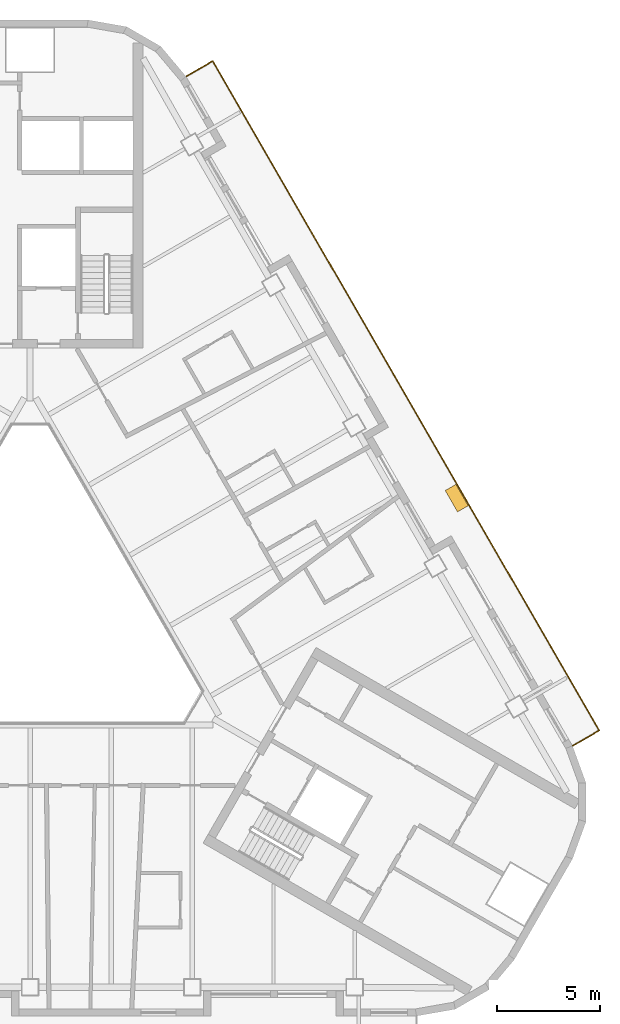
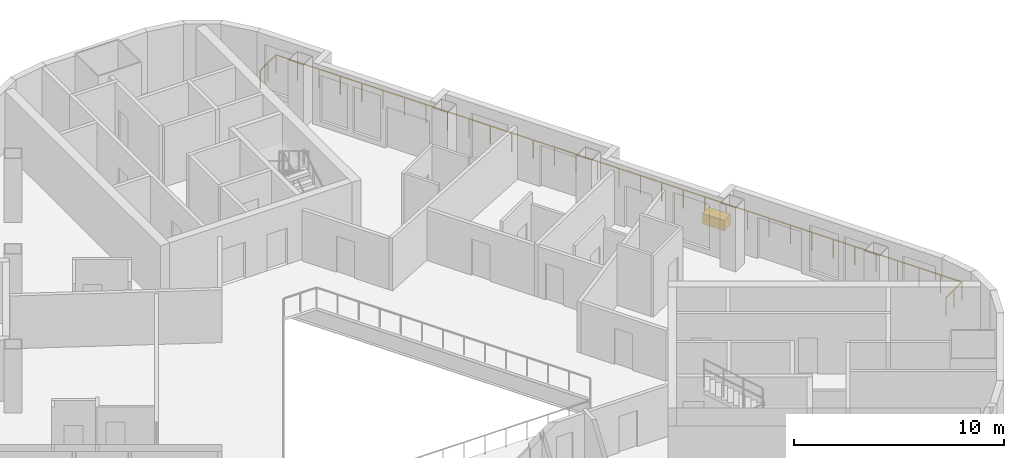
# One storey, part 13 of 14: 1 covering, 1 railing.
"""IFC4 building model written with IfcOpenShell, lengths in metres."""

from ifc_helpers import new_model, si_unit, direction, frame, origin, origin_2d, place, context, subcontext, project, spatial, rectangle, extrude, material, type_object, element, save


model = new_model("IFC4")

# Units and contexts
model_context = context("Model", 3, precision=1e-05, world=origin(), true_north=direction((0.0, 1.0)))
body_context = subcontext(model_context, "Body", "Model", "MODEL_VIEW")
ifc_project = project(units=[si_unit("LENGTHUNIT", "METRE"), si_unit("AREAUNIT", "SQUARE_METRE"), si_unit("VOLUMEUNIT", "CUBIC_METRE"), si_unit("PLANEANGLEUNIT", "RADIAN"), si_unit("MASSUNIT", "GRAM", prefix="KILO")], contexts=[model_context])

# Site, building, storey
site_placement = place(None, origin())
site = spatial("IfcSite", under=ifc_project, at=site_placement, CompositionType="ELEMENT")
building_placement = place(site_placement, origin())
building = spatial("IfcBuilding", under=site, at=building_placement, Name="Apuvela Tower Hotel", CompositionType="ELEMENT")
storey_placement = place(building_placement, frame((0.0, 0.0, 172.5)))
storey = spatial("IfcBuildingStorey", under=building, at=storey_placement, Name="L41", CompositionType="ELEMENT", Elevation=172.5)

# Railing
ifc_material_1 = material(Name="Stainless steel 316 rail with laminated glass infill", Category="steel")
railing_type = type_object("IfcRailingType", Name="ENV-GUARD-1100", PredefinedType="GUARDRAIL", material=ifc_material_1)
railing_placement = place(storey_placement, frame((26.407958984375, -6.47998046875, 0.0)))
element("IfcRailing", 1, at=railing_placement, inside=storey, type_object=railing_type, Name="Balcony guard NE L41", PredefinedType="GUARDRAIL", context=body_context, shape_type="SweptSolid", body=[
    extrude(rectangle(XDim=0.050048828125, YDim=0.050048828125, at=origin_2d()), frame((0.0, 0.0, 1.0751953125), z_axis=(0.866031096941, 0.499990139034, 0.0), x_axis=(-0.499990139034, 0.866031096941, 0.0)), (0.0, 0.0, 1.0), 1.5),
    extrude(rectangle(XDim=0.050048828125, YDim=0.050048828125, at=origin_2d()), frame((1.299072265625, 0.75, 1.0751953125), z_axis=(-0.500000437506, 0.86602515119, 0.0), x_axis=(-0.86602515119, -0.500000437506, 0.0)), (0.0, 0.0, 1.0), 37.6318359375),
    extrude(rectangle(XDim=0.050048828125, YDim=0.050048828125, at=origin_2d()), frame((-17.516845703125, 33.340087890625, 1.0751953125), z_axis=(-0.86599040064, -0.500060622324, 0.0), x_axis=(0.500060622324, -0.86599040064, 0.0)), (0.0, 0.0, 1.0), 1.499755859375),
    extrude(rectangle(XDim=0.0400390625, YDim=0.0400390625, at=origin_2d()), origin(), (0.0, 0.0, 1.0), 1.050048828125),
    extrude(rectangle(XDim=0.0400390625, YDim=0.0400390625, at=origin_2d()), frame((0.6494140625, 0.375, 0.0)), (0.0, 0.0, 1.0), 1.050048828125),
    extrude(rectangle(XDim=0.0400390625, YDim=0.0400390625, at=origin_2d()), frame((1.299072265625, 0.75, 0.0)), (0.0, 0.0, 1.0), 1.050048828125),
    extrude(rectangle(XDim=0.0400390625, YDim=0.0400390625, at=origin_2d()), frame((0.711181640625, 1.7685546875, 0.0)), (0.0, 0.0, 1.0), 1.050048828125),
    extrude(rectangle(XDim=0.0400390625, YDim=0.0400390625, at=origin_2d()), frame((0.123046875, 2.786865234375, 0.0)), (0.0, 0.0, 1.0), 1.050048828125),
    extrude(rectangle(XDim=0.0400390625, YDim=0.0400390625, at=origin_2d()), frame((-0.46484375, 3.805419921875, 0.0)), (0.0, 0.0, 1.0), 1.050048828125),
    extrude(rectangle(XDim=0.0400390625, YDim=0.0400390625, at=origin_2d()), frame((-1.052978515625, 4.82373046875, 0.0)), (0.0, 0.0, 1.0), 1.050048828125),
    extrude(rectangle(XDim=0.0400390625, YDim=0.0400390625, at=origin_2d()), frame((-1.640869140625, 5.84228515625, 0.0)), (0.0, 0.0, 1.0), 1.050048828125),
    extrude(rectangle(XDim=0.0400390625, YDim=0.0400390625, at=origin_2d()), frame((-2.22900390625, 6.860595703125, 0.0)), (0.0, 0.0, 1.0), 1.050048828125),
    extrude(rectangle(XDim=0.0400390625, YDim=0.0400390625, at=origin_2d()), frame((-2.81689453125, 7.879150390625, 0.0)), (0.0, 0.0, 1.0), 1.050048828125),
    extrude(rectangle(XDim=0.0400390625, YDim=0.0400390625, at=origin_2d()), frame((-3.40478515625, 8.8974609375, 0.0)), (0.0, 0.0, 1.0), 1.050048828125),
    extrude(rectangle(XDim=0.0400390625, YDim=0.0400390625, at=origin_2d()), frame((-3.992919921875, 9.916015625, 0.0)), (0.0, 0.0, 1.0), 1.050048828125),
    extrude(rectangle(XDim=0.0400390625, YDim=0.0400390625, at=origin_2d()), frame((-4.580810546875, 10.934326171875, 0.0)), (0.0, 0.0, 1.0), 1.050048828125),
    extrude(rectangle(XDim=0.0400390625, YDim=0.0400390625, at=origin_2d()), frame((-5.1689453125, 11.952880859375, 0.0)), (0.0, 0.0, 1.0), 1.050048828125),
    extrude(rectangle(XDim=0.0400390625, YDim=0.0400390625, at=origin_2d()), frame((-5.7568359375, 12.97119140625, 0.0)), (0.0, 0.0, 1.0), 1.050048828125),
    extrude(rectangle(XDim=0.0400390625, YDim=0.0400390625, at=origin_2d()), frame((-6.344970703125, 13.98974609375, 0.0)), (0.0, 0.0, 1.0), 1.050048828125),
    extrude(rectangle(XDim=0.0400390625, YDim=0.0400390625, at=origin_2d()), frame((-6.932861328125, 15.008056640625, 0.0)), (0.0, 0.0, 1.0), 1.050048828125),
    extrude(rectangle(XDim=0.0400390625, YDim=0.0400390625, at=origin_2d()), frame((-7.52099609375, 16.026611328125, 0.0)), (0.0, 0.0, 1.0), 1.050048828125),
    extrude(rectangle(XDim=0.0400390625, YDim=0.0400390625, at=origin_2d()), frame((-8.10888671875, 17.044921875, 0.0)), (0.0, 0.0, 1.0), 1.050048828125),
    extrude(rectangle(XDim=0.0400390625, YDim=0.0400390625, at=origin_2d()), frame((-8.69677734375, 18.0634765625, 0.0)), (0.0, 0.0, 1.0), 1.050048828125),
    extrude(rectangle(XDim=0.0400390625, YDim=0.0400390625, at=origin_2d()), frame((-9.284912109375, 19.08203125, 0.0)), (0.0, 0.0, 1.0), 1.050048828125),
    extrude(rectangle(XDim=0.0400390625, YDim=0.0400390625, at=origin_2d()), frame((-9.872802734375, 20.100341796875, 0.0)), (0.0, 0.0, 1.0), 1.050048828125),
    extrude(rectangle(XDim=0.0400390625, YDim=0.0400390625, at=origin_2d()), frame((-10.4609375, 21.118896484375, 0.0)), (0.0, 0.0, 1.0), 1.050048828125),
    extrude(rectangle(XDim=0.0400390625, YDim=0.0400390625, at=origin_2d()), frame((-11.048828125, 22.13720703125, 0.0)), (0.0, 0.0, 1.0), 1.050048828125),
    extrude(rectangle(XDim=0.0400390625, YDim=0.0400390625, at=origin_2d()), frame((-11.636962890625, 23.15576171875, 0.0)), (0.0, 0.0, 1.0), 1.050048828125),
    extrude(rectangle(XDim=0.0400390625, YDim=0.0400390625, at=origin_2d()), frame((-12.224853515625, 24.174072265625, 0.0)), (0.0, 0.0, 1.0), 1.050048828125),
    extrude(rectangle(XDim=0.0400390625, YDim=0.0400390625, at=origin_2d()), frame((-12.81298828125, 25.192626953125, 0.0)), (0.0, 0.0, 1.0), 1.050048828125),
    extrude(rectangle(XDim=0.0400390625, YDim=0.0400390625, at=origin_2d()), frame((-13.40087890625, 26.2109375, 0.0)), (0.0, 0.0, 1.0), 1.050048828125),
    extrude(rectangle(XDim=0.0400390625, YDim=0.0400390625, at=origin_2d()), frame((-13.98876953125, 27.2294921875, 0.0)), (0.0, 0.0, 1.0), 1.050048828125),
    extrude(rectangle(XDim=0.0400390625, YDim=0.0400390625, at=origin_2d()), frame((-14.576904296875, 28.247802734375, 0.0)), (0.0, 0.0, 1.0), 1.050048828125),
    extrude(rectangle(XDim=0.0400390625, YDim=0.0400390625, at=origin_2d()), frame((-15.164794921875, 29.266357421875, 0.0)), (0.0, 0.0, 1.0), 1.050048828125),
    extrude(rectangle(XDim=0.0400390625, YDim=0.0400390625, at=origin_2d()), frame((-15.7529296875, 30.28466796875, 0.0)), (0.0, 0.0, 1.0), 1.050048828125),
    extrude(rectangle(XDim=0.0400390625, YDim=0.0400390625, at=origin_2d()), frame((-16.3408203125, 31.30322265625, 0.0)), (0.0, 0.0, 1.0), 1.050048828125),
    extrude(rectangle(XDim=0.0400390625, YDim=0.0400390625, at=origin_2d()), frame((-16.928955078125, 32.321533203125, 0.0)), (0.0, 0.0, 1.0), 1.050048828125),
    extrude(rectangle(XDim=0.0400390625, YDim=0.0400390625, at=origin_2d()), frame((-17.516845703125, 33.340087890625, 0.0)), (0.0, 0.0, 1.0), 1.050048828125),
    extrude(rectangle(XDim=0.0400390625, YDim=0.0400390625, at=origin_2d()), frame((-18.166259765625, 32.965087890625, 0.0)), (0.0, 0.0, 1.0), 1.050048828125),
    extrude(rectangle(XDim=0.0400390625, YDim=0.0400390625, at=origin_2d()), frame((-18.815673828125, 32.590087890625, 0.0)), (0.0, 0.0, 1.0), 1.050048828125),
])

# Covering
ifc_material_2 = material(Name="Planting substrate and soil, planted")
covering_type = type_object("IfcCoveringType", Name="ENV-PLANTER-1200x600", PredefinedType="USERDEFINED", material=ifc_material_2)
covering_placement = place(storey_placement, frame((20.77099609375, 5.58349609375, 0.0), z_axis=(0.0, 0.0, 1.0), x_axis=(-0.5, 0.866025403784, 0.0)))
element("IfcCovering", 2, at=covering_placement, inside=storey, type_object=covering_type, Name="Planter NE3", ObjectType="PLANTER", PredefinedType="USERDEFINED", context=body_context, shape_type="SweptSolid", body=[
    extrude(rectangle(XDim=1.199951171875, YDim=0.60009765625, at=origin_2d()), origin(), (0.0, 0.0, 1.0), 0.60009765625),
])

save(model, "model.ifc")
